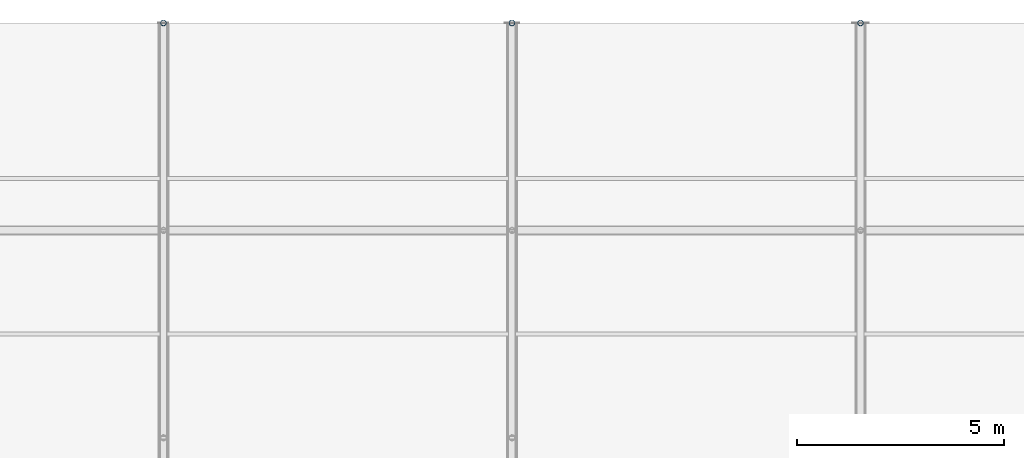
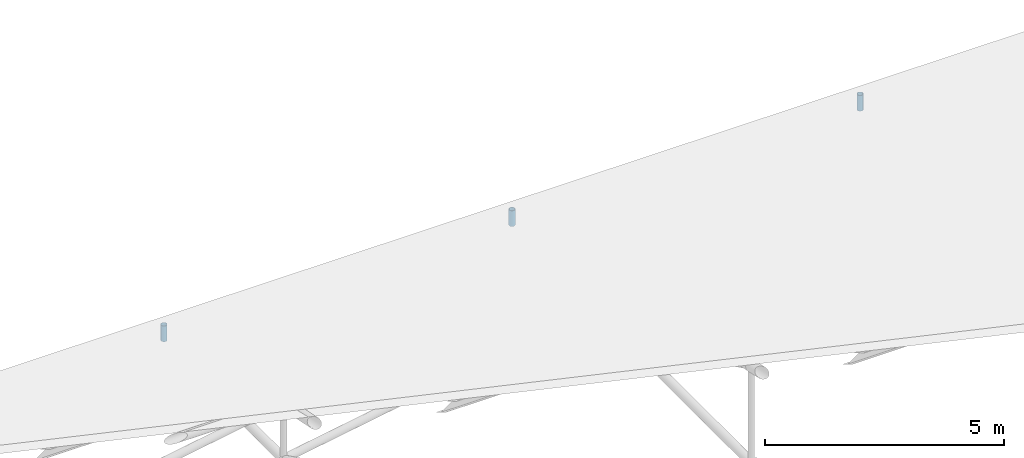
# One storey, part 152 of 194: 3 members.
"""IFC4 building model written with IfcOpenShell, lengths in metres."""

from ifc_helpers import new_model, si_unit, direction, frame, origin, origin_2d, place, context, subcontext, project, spatial, hollow_circle, extrude, material, material_profile, profile_set, type_object, element, save


model = new_model("IFC4")

# Units and contexts
model_context = context("Model", 3, precision=1e-05, world=origin(), true_north=direction((0.0, 1.0)))
body_context = subcontext(model_context, "Body", "Model", "MODEL_VIEW")
ifc_project = project(units=[si_unit("LENGTHUNIT", "METRE"), si_unit("AREAUNIT", "SQUARE_METRE"), si_unit("VOLUMEUNIT", "CUBIC_METRE"), si_unit("PLANEANGLEUNIT", "RADIAN"), si_unit("MASSUNIT", "GRAM", prefix="KILO")], contexts=[model_context])

# Site, building, storey
site_placement = place(None, origin())
site = spatial("IfcSite", under=ifc_project, at=site_placement, CompositionType="ELEMENT")
building_placement = place(site_placement, origin())
building = spatial("IfcBuilding", under=site, at=building_placement, Name="Kazenagashi Tramway Depot", CompositionType="ELEMENT")
storey_placement = place(building_placement, frame((0.0, 0.0, 23.7)))
storey = spatial("IfcBuildingStorey", under=building, at=storey_placement, Name="ROOF", CompositionType="ELEMENT", Elevation=23.7)

# Members
ifc_material = material(Name="Steel STK490", Category="steel")
ifc_material_profile = material_profile(ifc_material, hollow_circle(Radius=0.0699, WallThickness=0.0066, at=origin_2d()), Name="CHS-139.8x6.6")
ifc_profile_set = profile_set([ifc_material_profile], Name="Steel STK490")
member_type = type_object("IfcMemberType", Name="TS-02", PredefinedType="STRUT", material=ifc_profile_set)
for number, where, z_axis, x_axis, name in (
    (1, (145.6, 130.0, -14.1), (0.0, 0.0, 1.0), (1.0, 0.0, 0.0), "Tubular Space Frame TS-02 MEM-0787"),
    (2, (154.0, 130.0, -14.1), (0.0, 0.0, 1.0), (1.0, 0.0, 0.0), "Tubular Space Frame TS-02 MEM-0848"),
    (3, (162.4, 130.0, -14.1), (0.0, 0.0, 1.0), (1.0, 0.0, 0.0), "Tubular Space Frame TS-02 MEM-0909"),
):
    element("IfcMember", number, at=place(storey_placement, frame(where, z_axis=z_axis, x_axis=x_axis)), inside=storey, type_object=member_type, Name=name, PredefinedType="STRUT", context=body_context, shape_type="SweptSolid", body=[
        extrude(hollow_circle(Radius=0.0699, WallThickness=0.0066, at=origin_2d()), origin(), (0.0, 0.0, 1.0), 0.4),
    ])

save(model, "model.ifc")
